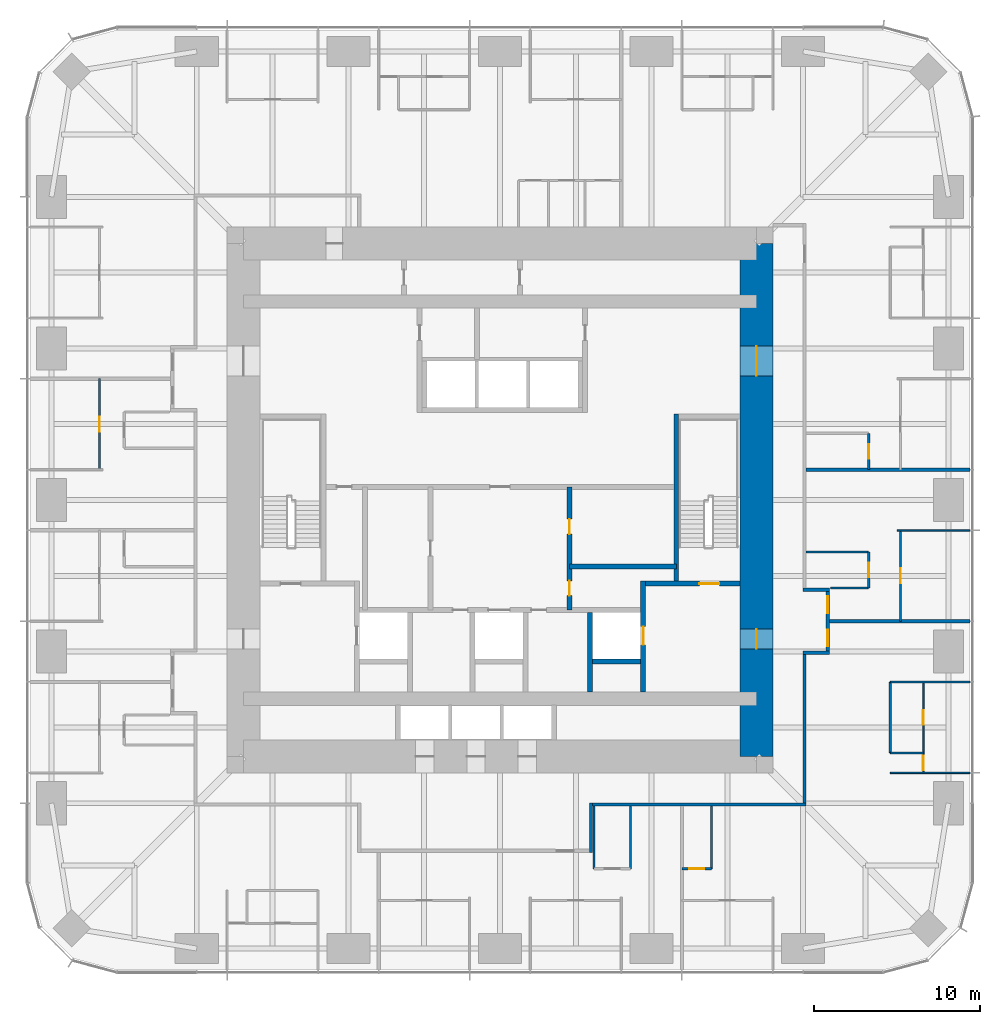
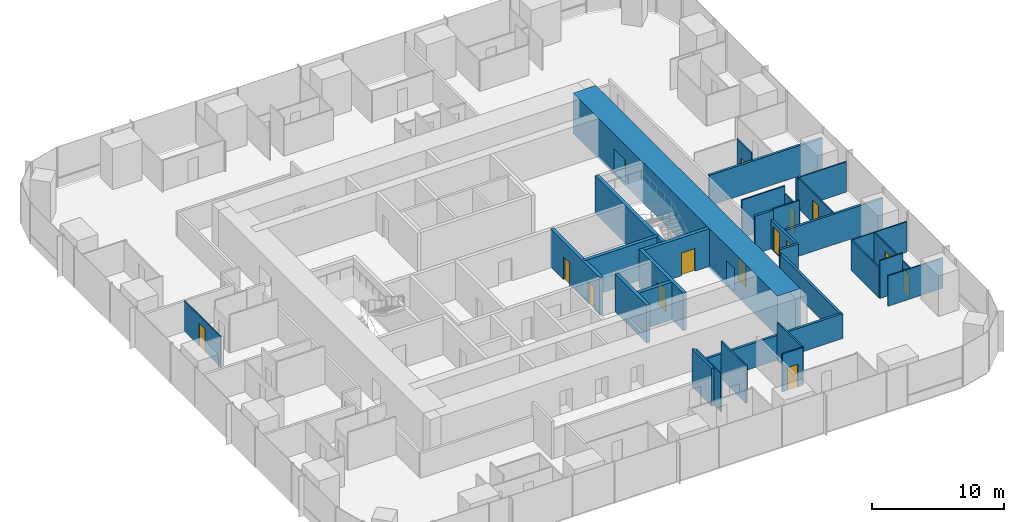
# One storey, part 10 of 13: 32 walls, 15 doors, 15 openings.
"""IFC4 building model written with IfcOpenShell, lengths in metres."""

import ifcopenshell
import ifcopenshell.guid

model = None  # the IFC model being written
_history = None  # IfcOwnerHistory: only IFC2X3 demands one
_inside = {}  # id of a spatial element -> (the spatial element, [elements in it])
_under = {}  # id of a project, library or spatial element -> (it, [spatial elements below it])
_declared = {}  # id of a project -> (the project, [libraries it declares])
_typed = {}  # id of a type object -> (the type object, [elements of that type])
_made_of = {}  # id of a material, layer set ... -> (it, [elements and type objects made of it])


def new_model(schema):
    """Start an empty IFC model of exactly this schema.

    Asked for "IFC4X3", IfcOpenShell would pick the latest addendum, in which some entities
    have other attributes; the version numbers below select the first issue.
    IFC2X3 requires an IfcOwnerHistory on every rooted entity: one is made here for all.
    """
    global model, _history
    if schema == "IFC4X3":
        model = ifcopenshell.file(schema_version=(4, 3, 0, 0))
    else:
        model = ifcopenshell.file(schema=schema)
    _inside.clear()
    _under.clear()
    _declared.clear()
    _typed.clear()
    _made_of.clear()
    _history = None
    if model.schema == "IFC2X3":
        org = make("IfcOrganization", Name="unknown")
        user = make(
            "IfcPersonAndOrganization",
            ThePerson=make("IfcPerson", FamilyName="unknown"),
            TheOrganization=org,
        )
        app = make(
            "IfcApplication",
            ApplicationDeveloper=org,
            Version="unknown",
            ApplicationFullName="unknown",
            ApplicationIdentifier="unknown",
        )
        _history = make(
            "IfcOwnerHistory",
            OwningUser=user,
            OwningApplication=app,
            ChangeAction="ADDED",
            CreationDate=0,
        )
    return model


def make(cls, **values):
    """One entity of the class cls with the attributes given. An attribute that is None is left unset."""
    return model.create_entity(
        cls, **{name: value for name, value in values.items() if value is not None}
    )


def rooted(cls, **values):
    """An entity with a GlobalId (a new one), such as an element, a storey or a relation."""
    return make(cls, GlobalId=ifcopenshell.guid.new(), OwnerHistory=_history, **values)


def si_unit(unit_type, name, prefix=None):
    """IfcSIUnit, for example si_unit("LENGTHUNIT", "METRE", prefix="MILLI")."""
    return make("IfcSIUnit", UnitType=unit_type, Prefix=prefix, Name=name)


def assignment(units):
    """IfcUnitAssignment: the units of a project."""
    return None if units is None else make("IfcUnitAssignment", Units=units)


def point(xyz):
    """IfcCartesianPoint."""
    return None if xyz is None else make("IfcCartesianPoint", Coordinates=xyz)


def direction(xyz):
    """IfcDirection."""
    return None if xyz is None else make("IfcDirection", DirectionRatios=xyz)


def frame(location, z_axis=None, x_axis=None):
    """IfcAxis2Placement3D, a coordinate frame: its origin and axes. An axis left out is left unset."""
    return make(
        "IfcAxis2Placement3D",
        Location=point(location),
        Axis=direction(z_axis),
        RefDirection=direction(x_axis),
    )


def frame_2d(location, x_axis=None):
    """IfcAxis2Placement2D, a coordinate frame in the plane: its origin and x axis."""
    return make(
        "IfcAxis2Placement2D", Location=point(location), RefDirection=direction(x_axis)
    )


def origin():
    """The frame at (0, 0, 0) with its axes left unset."""
    return frame((0.0, 0.0, 0.0))


def place(relative_to, where):
    """IfcLocalPlacement: puts the frame where relative to a parent placement (None: the world)."""
    return make(
        "IfcLocalPlacement", PlacementRelTo=relative_to, RelativePlacement=where
    )


def context(
    kind, dimensions, precision=None, world=None, true_north=None, identifier=None
):
    """IfcGeometricRepresentationContext, for example the 3D "Model" context."""
    return make(
        "IfcGeometricRepresentationContext",
        ContextIdentifier=identifier,
        ContextType=kind,
        CoordinateSpaceDimension=dimensions,
        Precision=precision,
        WorldCoordinateSystem=world,
        TrueNorth=true_north,
    )


def subcontext(parent, identifier, kind, view, scale=None):
    """IfcGeometricRepresentationSubContext, for example "Body" below "Model"."""
    return make(
        "IfcGeometricRepresentationSubContext",
        ContextIdentifier=identifier,
        ContextType=kind,
        ParentContext=parent,
        TargetScale=scale,
        TargetView=view,
    )


def project(units=None, contexts=None):
    """IfcProject with its units and contexts."""
    return rooted(
        "IfcProject",
        Name="project",
        RepresentationContexts=contexts,
        UnitsInContext=assignment(units),
    )


def spatial(cls, under=None, at=None, **own):
    """A site, building, storey or space (cls), placed at a placement, below another one or the project."""
    s = rooted(cls, ObjectPlacement=at, **own)
    if under is not None:
        _under.setdefault(under.id(), (under, []))[1].append(s)
    return s


def profile(cls, at=None, kind="AREA", **sizes):
    """A parametric profile (cls). Its sizes go by their IFC names, for example OverallWidth=200.0."""
    return make(cls, ProfileType=kind, Position=at, **sizes)


def rectangle(**sizes):
    """IfcRectangleProfileDef."""
    return profile("IfcRectangleProfileDef", **sizes)


def extrude(swept, where, along, depth):
    """IfcExtrudedAreaSolid: the profile swept, set in the frame where, extruded along a direction by depth."""
    return make(
        "IfcExtrudedAreaSolid",
        SweptArea=swept,
        Position=where,
        ExtrudedDirection=direction(along),
        Depth=depth,
    )


def shape(context_of_items, identifier, shape_type, items):
    """IfcShapeRepresentation: the items that make up one representation, for example the "Body"."""
    return make(
        "IfcShapeRepresentation",
        ContextOfItems=context_of_items,
        RepresentationIdentifier=identifier,
        RepresentationType=shape_type,
        Items=items,
    )


def material(Name=None, Category=None):
    """IfcMaterial."""
    return make("IfcMaterial", Name=Name, Category=Category)


def layer(
    of_material, thickness, ventilated=None, Name=None, Category=None, Priority=None
):
    """IfcMaterialLayer: one layer of a wall or slab, of a material (None: an air gap)."""
    return make(
        "IfcMaterialLayer",
        Material=of_material,
        LayerThickness=thickness,
        IsVentilated=ventilated,
        Name=Name,
        Category=Category,
        Priority=Priority,
    )


def layer_set(layers, Name=None):
    """IfcMaterialLayerSet."""
    return make("IfcMaterialLayerSet", MaterialLayers=layers, LayerSetName=Name)


def made_of(thing, what):
    """Note that an element or type object is made of a material, layer set ...; save() writes the relation."""
    if what is not None:
        _made_of.setdefault(what.id(), (what, []))[1].append(thing)
    return thing


def type_object(cls, material=None, **own):
    """A type object (cls), such as IfcWallType, which elements share."""
    return made_of(rooted(cls, **own), material)


def element(
    cls,
    number,
    at=None,
    inside=None,
    cuts=None,
    type_object=None,
    material=None,
    context=None,
    identifier="Body",
    shape_type=None,
    held_by="IfcProductDefinitionShape",
    body=None,
    shapes=None,
    **own,
):
    """One element of the class cls, such as IfcWall. Its Tag is "e" and its number.

    at: its placement. inside: the storey or other place that contains it. cuts: it is an
    opening in that element (IfcRelVoidsElement). A single representation is given by context,
    identifier, shape_type and body (its items); several are given by shapes. held_by: the class
    of the entity that holds the representations. save() writes the other relations.
    """
    e = rooted(cls, Tag="e%d" % number, ObjectPlacement=at, **own)
    if body is not None:
        shapes = [shape(context, identifier, shape_type, body)]
    if shapes is not None:
        e.Representation = make(held_by, Representations=shapes)
    if inside is not None:
        _inside.setdefault(inside.id(), (inside, []))[1].append(e)
    if cuts is not None:
        rooted(
            "IfcRelVoidsElement", RelatingBuildingElement=cuts, RelatedOpeningElement=e
        )
    if type_object is not None:
        _typed.setdefault(type_object.id(), (type_object, []))[1].append(e)
    return made_of(e, material)


def fill(opening, filler):
    """IfcRelFillsElement: the door or window that sits in an opening."""
    return rooted(
        "IfcRelFillsElement",
        RelatingOpeningElement=opening,
        RelatedBuildingElement=filler,
    )


def aggregate(whole, parts):
    """IfcRelAggregates: a whole, such as a stair, and the parts it consists of."""
    return rooted("IfcRelAggregates", RelatingObject=whole, RelatedObjects=parts)


def save(model, path):
    """Write the relations noted so far, then the file.

    IfcRelAggregates (storeys below a building ...), IfcRelContainedInSpatialStructure (elements
    in a storey), IfcRelDefinesByType, IfcRelAssociatesMaterial and IfcRelDeclares: one each for
    every whole, place, type object, material and project.
    """
    for whole, parts in _under.values():
        aggregate(whole, parts)
    for where, things in _inside.values():
        rooted(
            "IfcRelContainedInSpatialStructure",
            RelatedElements=things,
            RelatingStructure=where,
        )
    for kind, things in _typed.values():
        rooted("IfcRelDefinesByType", RelatedObjects=things, RelatingType=kind)
    for what, things in _made_of.values():
        rooted("IfcRelAssociatesMaterial", RelatedObjects=things, RelatingMaterial=what)
    for by, libraries in _declared.values():
        rooted("IfcRelDeclares", RelatingContext=by, RelatedDefinitions=libraries)
    model.write(path)


model = new_model("IFC4")

# Units and contexts
model_context = context("Model", 3, precision=1e-05, world=origin(), true_north=direction((0.0, 1.0)))
body_context = subcontext(model_context, "Body", "Model", "MODEL_VIEW")
ifc_project = project(units=[si_unit("LENGTHUNIT", "METRE"), si_unit("AREAUNIT", "SQUARE_METRE"), si_unit("VOLUMEUNIT", "CUBIC_METRE"), si_unit("PLANEANGLEUNIT", "RADIAN"), si_unit("MASSUNIT", "GRAM", prefix="KILO")], contexts=[model_context])

# Site, building, storey
site_placement = place(None, origin())
site = spatial("IfcSite", under=ifc_project, at=site_placement, CompositionType="ELEMENT")
building_placement = place(site_placement, origin())
building = spatial("IfcBuilding", under=site, at=building_placement, Name="Khuree Lantern Residences", CompositionType="ELEMENT")
storey_placement = place(building_placement, frame((0.0, 0.0, 159.75)))
storey = spatial("IfcBuildingStorey", under=building, at=storey_placement, Name="L40", CompositionType="ELEMENT", Elevation=159.75)

# Wall, opening, door
ifc_material_1 = material(Name="Moisture-resistant gypsum board on steel studs", Category="steel")
ifc_layer_1 = layer(ifc_material_1, 0.125)
ifc_layer_set_1 = layer_set([ifc_layer_1], Name="BATHROOM WALL BTW125")
wall_type_1 = type_object("IfcWallType", Name="BATHROOM WALL BTW125", PredefinedType="PARTITIONING", material=ifc_layer_set_1)
wall_1_placement = place(storey_placement, frame((22.27978515625, -5.327880859375, 0.0), z_axis=(0.0, 0.0, 1.0), x_axis=(0.0, 1.0, 0.0)))
wall_1 = element("IfcWall", 1, at=wall_1_placement, inside=storey, type_object=wall_type_1, Name="L40 BATHROOM WALL 01", PredefinedType="PARTITIONING", context=body_context, shape_type="SweptSolid", body=[
    extrude(rectangle(XDim=2.199951171875, YDim=0.125, at=frame_2d((1.10009765625, 0.0))), origin(), (0.0, 0.0, 1.0), 2.81005859375),
])
opening_1_placement = place(wall_1_placement, frame((0.64990234375, 0.0, 0.0)))
opening_1 = element("IfcOpeningElement", 2, at=opening_1_placement, cuts=wall_1, Name="Opening 40-026", PredefinedType="OPENING", context=body_context, shape_type="SweptSolid", body=[
    extrude(rectangle(XDim=0.89990234375, YDim=2.10009765625, at=frame_2d((0.449951171875, 1.050048828125))), frame((0.0, 0.072509765625, 0.0), z_axis=(0.0, -1.0, 0.0), x_axis=(1.0, 0.0, 0.0)), (0.0, 0.0, 1.0), 0.14501953125),
])
ifc_material_2 = material(Name="Timber door leaf in hardwood frame", Category="wood")
door_type_1 = type_object("IfcDoorType", Name="BATHROOM DOOR 900X2100", OperationType="SINGLE_SWING_LEFT", PredefinedType="DOOR", material=ifc_material_2)
door_1_placement = place(opening_1_placement, origin())
door_1 = element("IfcDoor", 3, at=door_1_placement, inside=storey, type_object=door_type_1, Name="Bathroom door 40-026", OperationType="SINGLE_SWING_LEFT", OverallHeight=2.10009765625, OverallWidth=0.89990234375, PredefinedType="DOOR", context=body_context, shape_type="SweptSolid", body=[
    extrude(rectangle(XDim=0.89990234375, YDim=2.10009765625, at=frame_2d((0.449951171875, 1.050048828125))), frame((0.0, 0.02490234375, 0.0), z_axis=(0.0, -1.0, 0.0), x_axis=(1.0, 0.0, 0.0)), (0.0, 0.0, 1.0), 0.050048828125),
])
fill(opening_1, door_1)

# Walls
wall_2_placement = place(storey_placement, frame((19.969970703125, -5.327880859375, 0.0), z_axis=(0.0, 0.0, 1.0), x_axis=(1.0, 0.0, 0.0)))
element("IfcWall", 4, at=wall_2_placement, inside=storey, type_object=wall_type_1, Name="L40 BATHROOM WALL 01", PredefinedType="PARTITIONING", context=body_context, shape_type="SweptSolid", body=[
    extrude(rectangle(XDim=2.309814453125, YDim=0.125, at=frame_2d((1.15478515625, 0.0))), origin(), (0.0, 0.0, 1.0), 3.5),
])
wall_3_placement = place(storey_placement, frame((18.5, -3.1279296875, 0.0), z_axis=(0.0, 0.0, 1.0), x_axis=(1.0, 0.0, 0.0)))
element("IfcWall", 5, at=wall_3_placement, inside=storey, type_object=wall_type_1, Name="L40 BATHROOM WALL 01", PredefinedType="PARTITIONING", context=body_context, shape_type="SweptSolid", body=[
    extrude(rectangle(XDim=3.77978515625, YDim=0.125, at=frame_2d((1.889892578125, 0.0))), origin(), (0.0, 0.0, 1.0), 3.5),
])

# Wall, opening, door
wall_4_placement = place(storey_placement, frame((22.27978515625, 1.83203125, 0.0), z_axis=(0.0, 0.0, 1.0), x_axis=(0.0, 1.0, 0.0)))
wall_4 = element("IfcWall", 6, at=wall_4_placement, inside=storey, type_object=wall_type_1, Name="L40 BATHROOM WALL 02", PredefinedType="PARTITIONING", context=body_context, shape_type="SweptSolid", body=[
    extrude(rectangle(XDim=2.199951171875, YDim=0.125, at=frame_2d((1.10009765625, 0.0))), origin(), (0.0, 0.0, 1.0), 3.5),
])
opening_2_placement = place(wall_4_placement, frame((0.64990234375, 0.0, 0.0)))
opening_2 = element("IfcOpeningElement", 7, at=opening_2_placement, cuts=wall_4, Name="Opening 40-033", PredefinedType="OPENING", context=body_context, shape_type="SweptSolid", body=[
    extrude(rectangle(XDim=0.89990234375, YDim=2.10009765625, at=frame_2d((0.449951171875, 1.050048828125))), frame((0.0, 0.072509765625, 0.0), z_axis=(0.0, -1.0, 0.0), x_axis=(1.0, 0.0, 0.0)), (0.0, 0.0, 1.0), 0.14501953125),
])
door_2_placement = place(opening_2_placement, origin())
door_2 = element("IfcDoor", 8, at=door_2_placement, inside=storey, type_object=door_type_1, Name="Bathroom door 40-033", OperationType="SINGLE_SWING_LEFT", OverallHeight=2.10009765625, OverallWidth=0.89990234375, PredefinedType="DOOR", context=body_context, shape_type="SweptSolid", body=[
    extrude(rectangle(XDim=0.89990234375, YDim=2.10009765625, at=frame_2d((0.449951171875, 1.050048828125))), frame((0.0, 0.02490234375, 0.0), z_axis=(0.0, -1.0, 0.0), x_axis=(1.0, 0.0, 0.0)), (0.0, 0.0, 1.0), 0.050048828125),
])
fill(opening_2, door_2)

# Walls
for number, where, z_axis, x_axis, name in (
    (9, (5.68359375, -18.5, 0.0), (0.0, 0.0, 1.0), (0.0, -1.0, 0.0), "L40 BATHROOM WALL 07"),
    (10, (7.883544921875, -18.5, 0.0), (0.0, 0.0, 1.0), (0.0, -1.0, 0.0), "L40 BATHROOM WALL 07"),
):
    element("IfcWall", number, at=place(storey_placement, frame(where, z_axis=z_axis, x_axis=x_axis)), inside=storey, type_object=wall_type_1, Name=name, PredefinedType="PARTITIONING", context=body_context, shape_type="SweptSolid", body=[
        extrude(rectangle(XDim=3.77978515625, YDim=0.125, at=frame_2d((1.889892578125, 0.0))), origin(), (0.0, 0.0, 1.0), 3.5),
    ])
wall_5_placement = place(storey_placement, frame((23.579833984375, -15.2880859375, 0.0), z_axis=(0.0, 0.0, 1.0), x_axis=(0.0, 1.0, 0.0)))
element("IfcWall", 11, at=wall_5_placement, inside=storey, type_object=wall_type_1, Name="L40 BATHROOM WALL 08", PredefinedType="PARTITIONING", context=body_context, shape_type="SweptSolid", body=[
    extrude(rectangle(XDim=4.296142578125, YDim=0.125, at=frame_2d((2.14794921875, 0.0))), origin(), (0.0, 0.0, 1.0), 2.81005859375),
])

# Wall, opening, door
wall_6_placement = place(storey_placement, frame((10.991943359375, -22.27978515625, 0.0), z_axis=(0.0, 0.0, 1.0), x_axis=(1.0, 0.0, 0.0)))
wall_6 = element("IfcWall", 12, at=wall_6_placement, inside=storey, type_object=wall_type_1, Name="L40 BATHROOM WALL 08", PredefinedType="PARTITIONING", context=body_context, shape_type="SweptSolid", body=[
    extrude(rectangle(XDim=1.800048828125, YDim=0.125, at=frame_2d((0.89990234375, 0.0))), origin(), (0.0, 0.0, 1.0), 3.5),
])
opening_3_placement = place(wall_6_placement, frame((0.449951171875, 0.0, 0.0)))
opening_3 = element("IfcOpeningElement", 13, at=opening_3_placement, cuts=wall_6, Name="Opening 40-062", PredefinedType="OPENING", context=body_context, shape_type="SweptSolid", body=[
    extrude(rectangle(XDim=0.89990234375, YDim=2.10009765625, at=frame_2d((0.449951171875, 1.050048828125))), frame((0.0, 0.072509765625, 0.0), z_axis=(0.0, -1.0, 0.0), x_axis=(1.0, 0.0, 0.0)), (0.0, 0.0, 1.0), 0.14501953125),
])
door_3_placement = place(opening_3_placement, origin())
door_3 = element("IfcDoor", 14, at=door_3_placement, inside=storey, type_object=door_type_1, Name="Bathroom door 40-062", OperationType="SINGLE_SWING_LEFT", OverallHeight=2.10009765625, OverallWidth=0.89990234375, PredefinedType="DOOR", context=body_context, shape_type="SweptSolid", body=[
    extrude(rectangle(XDim=0.89990234375, YDim=2.10009765625, at=frame_2d((0.449951171875, 1.050048828125))), frame((0.0, 0.02490234375, 0.0), z_axis=(0.0, -1.0, 0.0), x_axis=(1.0, 0.0, 0.0)), (0.0, 0.0, 1.0), 0.050048828125),
])
fill(opening_3, door_3)

# Wall
wall_7_placement = place(storey_placement, frame((12.7919921875, -18.5, 0.0), z_axis=(0.0, 0.0, 1.0), x_axis=(0.0, -1.0, 0.0)))
element("IfcWall", 15, at=wall_7_placement, inside=storey, type_object=wall_type_1, Name="L40 BATHROOM WALL 08", PredefinedType="PARTITIONING", context=body_context, shape_type="SweptSolid", body=[
    extrude(rectangle(XDim=3.77978515625, YDim=0.125, at=frame_2d((1.889892578125, 0.0))), origin(), (0.0, 0.0, 1.0), 3.5),
])

# Wall, opening, door
ifc_material_3 = material(Name="Dense concrete blockwork", Category="masonry")
ifc_layer_2 = layer(ifc_material_3, 0.300048828125)
ifc_layer_set_2 = layer_set([ifc_layer_2], Name="CORE PARTITION WALL CPW300 EI 120")
wall_type_2 = type_object("IfcWallType", Name="CORE PARTITION WALL CPW300 EI 120", PredefinedType="PARTITIONING", material=ifc_layer_set_2)
wall_8_placement = place(storey_placement, frame((8.64990234375, -11.60009765625, 0.0), z_axis=(0.0, 0.0, 1.0), x_axis=(0.0, 1.0, 0.0)))
wall_8 = element("IfcWall", 16, at=wall_8_placement, inside=storey, type_object=wall_type_2, Name="L40 CORE WALL FL2E", PredefinedType="PARTITIONING", context=body_context, shape_type="SweptSolid", body=[
    extrude(rectangle(XDim=6.7001953125, YDim=0.300048828125, at=frame_2d((3.35009765625, 0.0))), origin(), (0.0, 0.0, 1.0), 3.5),
])
opening_4_placement = place(wall_8_placement, frame((2.85009765625, 0.0, 0.0)))
opening_4 = element("IfcOpeningElement", 17, at=opening_4_placement, cuts=wall_8, Name="Opening 40-008", PredefinedType="OPENING", context=body_context, shape_type="SweptSolid", body=[
    extrude(rectangle(XDim=1.10009765625, YDim=2.10009765625, at=frame_2d((0.550048828125, 1.050048828125))), frame((0.0, 0.16015625, 0.0), z_axis=(0.0, -1.0, 0.0), x_axis=(1.0, 0.0, 0.0)), (0.0, 0.0, 1.0), 0.320068359375),
])
ifc_material_4 = material(Name="Stainless steel lift landing door", Category="steel")
door_type_2 = type_object("IfcDoorType", Name="LIFT LANDING DOOR 1100X2100 E 120", OperationType="DOUBLE_DOOR_SLIDING", PredefinedType="DOOR", material=ifc_material_4)
door_4_placement = place(opening_4_placement, origin())
door_4 = element("IfcDoor", 18, at=door_4_placement, inside=storey, type_object=door_type_2, Name="Landing door FL2 40-008", OperationType="DOUBLE_DOOR_SLIDING", OverallHeight=2.10009765625, OverallWidth=1.10009765625, PredefinedType="DOOR", context=body_context, shape_type="SweptSolid", body=[
    extrude(rectangle(XDim=1.10009765625, YDim=2.10009765625, at=frame_2d((0.550048828125, 1.050048828125))), frame((0.0, 0.02490234375, 0.0), z_axis=(0.0, -1.0, 0.0), x_axis=(1.0, 0.0, 0.0)), (0.0, 0.0, 1.0), 0.050048828125),
])
fill(opening_4, door_4)

# Walls
wall_9_placement = place(storey_placement, frame((5.449951171875, -11.60009765625, 0.0), z_axis=(0.0, 0.0, 1.0), x_axis=(0.0, 1.0, 0.0)))
element("IfcWall", 19, at=wall_9_placement, inside=storey, type_object=wall_type_2, Name="L40 CORE WALL FL2W", PredefinedType="PARTITIONING", context=body_context, shape_type="SweptSolid", body=[
    extrude(rectangle(XDim=4.800048828125, YDim=0.300048828125, at=frame_2d((2.39990234375, 0.0))), origin(), (0.0, 0.0, 1.0), 3.5),
])
wall_10_placement = place(storey_placement, frame((5.60009765625, -9.75, 0.0), z_axis=(0.0, 0.0, 1.0), x_axis=(1.0, 0.0, 0.0)))
element("IfcWall", 20, at=wall_10_placement, inside=storey, type_object=wall_type_2, Name="L40 CORE WALL FL2S", PredefinedType="PARTITIONING", context=body_context, shape_type="SweptSolid", body=[
    extrude(rectangle(XDim=2.89990234375, YDim=0.300048828125, at=frame_2d((1.449951171875, 0.0))), origin(), (0.0, 0.0, 1.0), 3.5),
])

# Wall, openings, doors
wall_11_placement = place(storey_placement, frame((4.199951171875, -6.64990234375, 0.0), z_axis=(0.0, 0.0, 1.0), x_axis=(0.0, 1.0, 0.0)))
wall_11 = element("IfcWall", 21, at=wall_11_placement, inside=storey, type_object=wall_type_2, Name="L40 CORE WALL SVE", PredefinedType="PARTITIONING", context=body_context, shape_type="SweptSolid", body=[
    extrude(rectangle(XDim=7.449951171875, YDim=0.300048828125, at=frame_2d((3.72509765625, 0.0))), origin(), (0.0, 0.0, 1.0), 3.5),
])
opening_5_placement = place(wall_11_placement, frame((0.865966796875, 0.0, 0.0)))
opening_5 = element("IfcOpeningElement", 22, at=opening_5_placement, cuts=wall_11, Name="Opening 40-018", PredefinedType="OPENING", context=body_context, shape_type="SweptSolid", body=[
    extrude(rectangle(XDim=0.89990234375, YDim=2.10009765625, at=frame_2d((0.449951171875, 1.050048828125))), frame((0.0, 0.16015625, 0.0), z_axis=(0.0, -1.0, 0.0), x_axis=(1.0, 0.0, 0.0)), (0.0, 0.0, 1.0), 0.320068359375),
])
opening_6_placement = place(wall_11_placement, frame((4.591064453125, 0.0, 0.0)))
opening_6 = element("IfcOpeningElement", 23, at=opening_6_placement, cuts=wall_11, Name="Opening 40-019", PredefinedType="OPENING", context=body_context, shape_type="SweptSolid", body=[
    extrude(rectangle(XDim=0.89990234375, YDim=2.10009765625, at=frame_2d((0.449951171875, 1.050048828125))), frame((0.0, 0.16015625, 0.0), z_axis=(0.0, -1.0, 0.0), x_axis=(1.0, 0.0, 0.0)), (0.0, 0.0, 1.0), 0.320068359375),
])
door_type_3 = type_object("IfcDoorType", Name="DOOR 900X2100", OperationType="SINGLE_SWING_LEFT", PredefinedType="DOOR", material=ifc_material_2)
door_5_placement = place(opening_5_placement, origin())
door_5 = element("IfcDoor", 24, at=door_5_placement, inside=storey, type_object=door_type_3, Name="IT room door 40-018", OperationType="SINGLE_SWING_LEFT", OverallHeight=2.10009765625, OverallWidth=0.89990234375, PredefinedType="DOOR", context=body_context, shape_type="SweptSolid", body=[
    extrude(rectangle(XDim=0.89990234375, YDim=2.10009765625, at=frame_2d((0.449951171875, 1.050048828125))), frame((0.0, 0.02490234375, 0.0), z_axis=(0.0, -1.0, 0.0), x_axis=(1.0, 0.0, 0.0)), (0.0, 0.0, 1.0), 0.050048828125),
])
fill(opening_5, door_5)
door_type_4 = type_object("IfcDoorType", Name="DOOR 900X2100 RIGHT HAND", OperationType="SINGLE_SWING_RIGHT", PredefinedType="DOOR", material=ifc_material_2)
door_6_placement = place(opening_6_placement, origin())
door_6 = element("IfcDoor", 25, at=door_6_placement, inside=storey, type_object=door_type_4, Name="Residents' store door 40-019", OperationType="SINGLE_SWING_RIGHT", OverallHeight=2.10009765625, OverallWidth=0.89990234375, PredefinedType="DOOR", context=body_context, shape_type="SweptSolid", body=[
    extrude(rectangle(XDim=0.89990234375, YDim=2.10009765625, at=frame_2d((0.449951171875, 1.050048828125))), frame((0.0, 0.02490234375, 0.0), z_axis=(0.0, -1.0, 0.0), x_axis=(1.0, 0.0, 0.0)), (0.0, 0.0, 1.0), 0.050048828125),
])
fill(opening_6, door_6)

# Walls
wall_12_placement = place(storey_placement, frame((10.64990234375, -4.01806640625, 0.0), z_axis=(0.0, 0.0, 1.0), x_axis=(-1.0, 0.0, 0.0)))
element("IfcWall", 26, at=wall_12_placement, inside=storey, type_object=wall_type_2, Name="L40 CORE WALL EX", PredefinedType="PARTITIONING", context=body_context, shape_type="SweptSolid", body=[
    extrude(rectangle(XDim=6.449951171875, YDim=0.300048828125, at=frame_2d((3.22509765625, 0.0))), origin(), (0.0, 0.0, 1.0), 3.5),
])
ifc_material_5 = material(Name="Gypsum board on steel studs", Category="steel")
ifc_layer_3 = layer(ifc_material_5, 0.199951171875)
ifc_layer_set_3 = layer_set([ifc_layer_3], Name="CORRIDOR WALL CRW200 EI 60")
wall_type_3 = type_object("IfcWallType", Name="CORRIDOR WALL CRW200 EI 60", PredefinedType="PARTITIONING", material=ifc_layer_set_3)
wall_13_placement = place(storey_placement, frame((18.39990234375, -18.300048828125, 0.0), z_axis=(0.0, 0.0, 1.0), x_axis=(0.0, 1.0, 0.0)))
element("IfcWall", 27, at=wall_13_placement, inside=storey, type_object=wall_type_3, Name="L40 CORRIDOR WALL EAST 1", PredefinedType="PARTITIONING", context=body_context, shape_type="SweptSolid", body=[
    extrude(rectangle(XDim=8.97216796875, YDim=0.199951171875, at=frame_2d((4.486083984375, 0.0))), origin(), (0.0, 0.0, 1.0), 2.300048828125),
])
wall_14_placement = place(storey_placement, frame((18.300048828125, -9.22802734375, 0.0), z_axis=(0.0, 0.0, 1.0), x_axis=(1.0, 0.0, 0.0)))
element("IfcWall", 28, at=wall_14_placement, inside=storey, type_object=wall_type_3, Name="L40 CORRIDOR ALCOVE WALL EAST", PredefinedType="PARTITIONING", context=body_context, shape_type="SweptSolid", body=[
    extrude(rectangle(XDim=1.599853515625, YDim=0.199951171875, at=frame_2d((0.7998046875, 0.0))), origin(), (0.0, 0.0, 1.0), 2.699951171875),
])
wall_15_placement = place(storey_placement, frame((18.300048828125, -5.427978515625, 0.0), z_axis=(0.0, 0.0, 1.0), x_axis=(1.0, 0.0, 0.0)))
element("IfcWall", 29, at=wall_15_placement, inside=storey, type_object=wall_type_3, Name="L40 CORRIDOR ALCOVE WALL EAST", PredefinedType="PARTITIONING", context=body_context, shape_type="SweptSolid", body=[
    extrude(rectangle(XDim=1.599853515625, YDim=0.199951171875, at=frame_2d((0.7998046875, 0.0))), origin(), (0.0, 0.0, 1.0), 3.5),
])

# Wall, openings, doors
wall_16_placement = place(storey_placement, frame((19.800048828125, -9.1279296875, 0.0), z_axis=(0.0, 0.0, 1.0), x_axis=(0.0, 1.0, 0.0)))
wall_16 = element("IfcWall", 30, at=wall_16_placement, inside=storey, type_object=wall_type_3, Name="L40 CORRIDOR ALCOVE WALL EAST", PredefinedType="PARTITIONING", context=body_context, shape_type="SweptSolid", body=[
    extrude(rectangle(XDim=3.599853515625, YDim=0.199951171875, at=frame_2d((1.7998046875, 0.0))), origin(), (0.0, 0.0, 1.0), 2.699951171875),
])
opening_7_placement = place(wall_16_placement, frame((2.300048828125, 0.0, 0.0)))
opening_7 = element("IfcOpeningElement", 31, at=opening_7_placement, cuts=wall_16, Name="Opening 40-027", PredefinedType="OPENING", context=body_context, shape_type="SweptSolid", body=[
    extrude(rectangle(XDim=1.0, YDim=2.199951171875, at=frame_2d((0.5, 1.10009765625))), frame((0.0, 0.10986328125, 0.0), z_axis=(0.0, -1.0, 0.0), x_axis=(1.0, 0.0, 0.0)), (0.0, 0.0, 1.0), 0.219970703125),
])
opening_8_placement = place(wall_16_placement, frame((0.300048828125, 0.0, 0.0)))
opening_8 = element("IfcOpeningElement", 32, at=opening_8_placement, cuts=wall_16, Name="Opening 40-063", PredefinedType="OPENING", context=body_context, shape_type="SweptSolid", body=[
    extrude(rectangle(XDim=1.0, YDim=2.199951171875, at=frame_2d((0.5, 1.10009765625))), frame((0.0, 0.10986328125, 0.0), z_axis=(0.0, -1.0, 0.0), x_axis=(1.0, 0.0, 0.0)), (0.0, 0.0, 1.0), 0.219970703125),
])
door_type_5 = type_object("IfcDoorType", Name="APARTMENT ENTRANCE DOOR 1000X2200 EI 30S", OperationType="SINGLE_SWING_LEFT", PredefinedType="DOOR", material=ifc_material_2)
door_7_placement = place(opening_8_placement, origin())
door_7 = element("IfcDoor", 33, at=door_7_placement, inside=storey, type_object=door_type_5, Name="Apartment 08 entrance door 40-063", OperationType="SINGLE_SWING_LEFT", OverallHeight=2.199951171875, OverallWidth=1.0, PredefinedType="DOOR", context=body_context, shape_type="SweptSolid", body=[
    extrude(rectangle(XDim=1.0, YDim=2.199951171875, at=frame_2d((0.5, 1.10009765625))), frame((0.0, 0.02490234375, 0.0), z_axis=(0.0, -1.0, 0.0), x_axis=(1.0, 0.0, 0.0)), (0.0, 0.0, 1.0), 0.050048828125),
])
fill(opening_8, door_7)
door_type_6 = type_object("IfcDoorType", Name="APARTMENT ENTRANCE DOOR 1000X2200 EI 30S RIGHT HAND", OperationType="SINGLE_SWING_RIGHT", PredefinedType="DOOR", material=ifc_material_2)
door_8_placement = place(opening_7_placement, origin())
door_8 = element("IfcDoor", 34, at=door_8_placement, inside=storey, type_object=door_type_6, Name="Apartment 01 entrance door 40-027", OperationType="SINGLE_SWING_RIGHT", OverallHeight=2.199951171875, OverallWidth=1.0, PredefinedType="DOOR", context=body_context, shape_type="SweptSolid", body=[
    extrude(rectangle(XDim=1.0, YDim=2.199951171875, at=frame_2d((0.5, 1.10009765625))), frame((0.0, 0.02490234375, 0.0), z_axis=(0.0, -1.0, 0.0), x_axis=(1.0, 0.0, 0.0)), (0.0, 0.0, 1.0), 0.050048828125),
])
fill(opening_7, door_8)

# Walls
wall_17_placement = place(storey_placement, frame((18.5, -18.39990234375, 0.0), z_axis=(0.0, 0.0, 1.0), x_axis=(-1.0, 0.0, 0.0)))
element("IfcWall", 35, at=wall_17_placement, inside=storey, type_object=wall_type_3, Name="L40 CORRIDOR WALL SOUTH 1", PredefinedType="PARTITIONING", context=body_context, shape_type="SweptSolid", body=[
    extrude(rectangle(XDim=12.89990234375, YDim=0.199951171875, at=frame_2d((6.449951171875, 0.0))), origin(), (0.0, 0.0, 1.0), 2.300048828125),
])
wall_18_placement = place(storey_placement, frame((5.5, -18.300048828125, 0.0), z_axis=(0.0, 0.0, 1.0), x_axis=(0.0, -1.0, 0.0)))
element("IfcWall", 36, at=wall_18_placement, inside=storey, type_object=wall_type_3, Name="L40 LIFT LOBBY WALL", PredefinedType="PARTITIONING", context=body_context, shape_type="SweptSolid", body=[
    extrude(rectangle(XDim=3.0, YDim=0.199951171875, at=frame_2d((1.5, 0.0))), origin(), (0.0, 0.0, 1.0), 3.5),
])

# Wall, openings, doors
ifc_material_6 = material(Name="Concrete C70/85", Category="concrete")
ifc_layer_4 = layer(ifc_material_6, 2.0)
ifc_layer_set_4 = layer_set([ifc_layer_4], Name="CW2000-C70 CORE WALL C70 2000")
wall_type_4 = type_object("IfcWallType", Name="CW2000-C70 CORE WALL C70 2000", PredefinedType="SHEAR", material=ifc_layer_set_4)
wall_19_placement = place(storey_placement, frame((15.5, -15.5, -0.25), z_axis=(0.0, 0.0, 1.0), x_axis=(0.0, 1.0, 0.0)))
wall_19 = element("IfcWall", 37, at=wall_19_placement, inside=storey, type_object=wall_type_4, Name="Core wall E", PredefinedType="SHEAR", context=body_context, shape_type="SweptSolid", body=[
    extrude(rectangle(XDim=31.0, YDim=2.0, at=frame_2d((15.5, 0.0))), origin(), (0.0, 0.0, 1.0), 3.75),
])
opening_9_placement = place(wall_19_placement, frame((6.5, 0.0, 0.25)))
opening_9 = element("IfcOpeningElement", 38, at=opening_9_placement, cuts=wall_19, Name="Opening 40-005", PredefinedType="OPENING", context=body_context, shape_type="SweptSolid", body=[
    extrude(rectangle(XDim=1.199951171875, YDim=2.10009765625, at=frame_2d((0.60009765625, 1.050048828125))), frame((0.0, 1.010009765625, 0.0), z_axis=(0.0, -1.0, 0.0), x_axis=(1.0, 0.0, 0.0)), (0.0, 0.0, 1.0), 2.02001953125),
])
opening_10_placement = place(wall_19_placement, frame((23.0, 0.0, 0.25)))
opening_10 = element("IfcOpeningElement", 39, at=opening_10_placement, cuts=wall_19, Name="Opening 40-006", PredefinedType="OPENING", context=body_context, shape_type="SweptSolid", body=[
    extrude(rectangle(XDim=1.800048828125, YDim=2.10009765625, at=frame_2d((0.89990234375, 1.050048828125))), frame((0.0, 1.010009765625, 0.0), z_axis=(0.0, -1.0, 0.0), x_axis=(1.0, 0.0, 0.0)), (0.0, 0.0, 1.0), 2.02001953125),
])
ifc_material_7 = material(Name="Steel door leaf in steel frame", Category="steel")
door_type_7 = type_object("IfcDoorType", Name="LOBBY DOOR 1200X2100 EI 120", OperationType="SINGLE_SWING_LEFT", PredefinedType="DOOR", material=ifc_material_7)
door_9_placement = place(opening_9_placement, origin())
door_9 = element("IfcDoor", 40, at=door_9_placement, inside=storey, type_object=door_type_7, Name="Firefighting lobby door 40-005", OperationType="SINGLE_SWING_LEFT", OverallHeight=2.10009765625, OverallWidth=1.199951171875, PredefinedType="DOOR", context=body_context, shape_type="SweptSolid", body=[
    extrude(rectangle(XDim=1.199951171875, YDim=2.10009765625, at=frame_2d((0.60009765625, 1.050048828125))), frame((0.0, 0.02490234375, 0.0), z_axis=(0.0, -1.0, 0.0), x_axis=(1.0, 0.0, 0.0)), (0.0, 0.0, 1.0), 0.050048828125),
])
fill(opening_9, door_9)
door_type_8 = type_object("IfcDoorType", Name="LOBBY DOUBLE DOOR 1800X2100 EI 60", OperationType="DOUBLE_DOOR_SINGLE_SWING", PredefinedType="DOOR", material=ifc_material_7)
door_10_placement = place(opening_10_placement, origin())
door_10 = element("IfcDoor", 41, at=door_10_placement, inside=storey, type_object=door_type_8, Name="Lift lobby door 40-006", OperationType="DOUBLE_DOOR_SINGLE_SWING", OverallHeight=2.10009765625, OverallWidth=1.800048828125, PredefinedType="DOOR", context=body_context, shape_type="SweptSolid", body=[
    extrude(rectangle(XDim=1.800048828125, YDim=2.10009765625, at=frame_2d((0.89990234375, 1.050048828125))), frame((0.0, 0.02490234375, 0.0), z_axis=(0.0, -1.0, 0.0), x_axis=(1.0, 0.0, 0.0)), (0.0, 0.0, 1.0), 0.050048828125),
])
fill(opening_10, door_10)

# Walls
ifc_layer_5 = layer(ifc_material_5, 0.199951171875)
ifc_layer_set_5 = layer_set([ifc_layer_5], Name="DEMISING WALL DMW200 EI 90")
wall_type_5 = type_object("IfcWallType", Name="DEMISING WALL DMW200 EI 90", PredefinedType="PARTITIONING", material=ifc_layer_set_5)
wall_20_placement = place(storey_placement, frame((19.89990234375, -7.327880859375, 0.0), z_axis=(0.0, 0.0, 1.0), x_axis=(1.0, 0.0, 0.0)))
element("IfcWall", 42, at=wall_20_placement, inside=storey, type_object=wall_type_5, Name="L40 DEMISING WALL 01", PredefinedType="PARTITIONING", context=body_context, shape_type="SweptSolid", body=[
    extrude(rectangle(XDim=8.5, YDim=0.199951171875, at=frame_2d((4.25, 0.0))), origin(), (0.0, 0.0, 1.0), 2.81005859375),
])
wall_21_placement = place(storey_placement, frame((18.5, 1.83203125, 0.0), z_axis=(0.0, 0.0, 1.0), x_axis=(1.0, 0.0, 0.0)))
element("IfcWall", 43, at=wall_21_placement, inside=storey, type_object=wall_type_5, Name="L40 DEMISING WALL 02", PredefinedType="PARTITIONING", context=body_context, shape_type="SweptSolid", body=[
    extrude(rectangle(XDim=9.89990234375, YDim=0.199951171875, at=frame_2d((4.949951171875, 0.0))), origin(), (0.0, 0.0, 1.0), 2.81005859375),
])
ifc_layer_6 = layer(ifc_material_5, 0.10009765625)
ifc_layer_set_6 = layer_set([ifc_layer_6], Name="PARTITION PT100")
wall_type_6 = type_object("IfcWallType", Name="PARTITION PT100", PredefinedType="PARTITIONING", material=ifc_layer_set_6)
wall_22_placement = place(storey_placement, frame((24.0, -1.83203125, 0.0), z_axis=(0.0, 0.0, 1.0), x_axis=(1.0, 0.0, 0.0)))
element("IfcWall", 44, at=wall_22_placement, inside=storey, type_object=wall_type_6, Name="L40 PARTITION 01", PredefinedType="PARTITIONING", context=body_context, shape_type="SweptSolid", body=[
    extrude(rectangle(XDim=4.39990234375, YDim=0.10009765625, at=frame_2d((2.199951171875, 0.0))), origin(), (0.0, 0.0, 1.0), 2.81005859375),
])
for number, where, z_axis, x_axis, name in (
    (45, (23.579833984375, -16.488037109375, 0.0), (0.0, 0.0, 1.0), (1.0, 0.0, 0.0), "L40 PARTITION 08"),
    (46, (23.579833984375, -10.991943359375, 0.0), (0.0, 0.0, 1.0), (1.0, 0.0, 0.0), "L40 PARTITION 08"),
):
    element("IfcWall", number, at=place(storey_placement, frame(where, z_axis=z_axis, x_axis=x_axis)), inside=storey, type_object=wall_type_6, Name=name, PredefinedType="PARTITIONING", context=body_context, shape_type="SweptSolid", body=[
        extrude(rectangle(XDim=4.820068359375, YDim=0.10009765625, at=frame_2d((2.41015625, 0.0))), origin(), (0.0, 0.0, 1.0), 2.81005859375),
    ])

# Wall, opening, door
wall_23_placement = place(storey_placement, frame((24.199951171875, -7.327880859375, 0.0), z_axis=(0.0, 0.0, 1.0), x_axis=(0.0, 1.0, 0.0)))
wall_23 = element("IfcWall", 47, at=wall_23_placement, inside=storey, type_object=wall_type_6, Name="L40 PARTITION 01", PredefinedType="PARTITIONING", context=body_context, shape_type="SweptSolid", body=[
    extrude(rectangle(XDim=5.495849609375, YDim=0.10009765625, at=frame_2d((2.748046875, 0.0))), origin(), (0.0, 0.0, 1.0), 2.81005859375),
])
opening_11_placement = place(wall_23_placement, frame((2.298095703125, 0.0, 0.0)))
opening_11 = element("IfcOpeningElement", 48, at=opening_11_placement, cuts=wall_23, Name="Opening 40-025", PredefinedType="OPENING", context=body_context, shape_type="SweptSolid", body=[
    extrude(rectangle(XDim=0.89990234375, YDim=2.10009765625, at=frame_2d((0.449951171875, 1.050048828125))), frame((0.0, 0.06005859375, 0.0), z_axis=(0.0, -1.0, 0.0), x_axis=(1.0, 0.0, 0.0)), (0.0, 0.0, 1.0), 0.1201171875),
])
door_type_9 = type_object("IfcDoorType", Name="BEDROOM DOOR 900X2100", OperationType="SINGLE_SWING_LEFT", PredefinedType="DOOR", material=ifc_material_2)
door_11_placement = place(opening_11_placement, origin())
door_11 = element("IfcDoor", 49, at=door_11_placement, inside=storey, type_object=door_type_9, Name="Bedroom door 40-025", OperationType="SINGLE_SWING_LEFT", OverallHeight=2.10009765625, OverallWidth=0.89990234375, PredefinedType="DOOR", context=body_context, shape_type="SweptSolid", body=[
    extrude(rectangle(XDim=0.89990234375, YDim=2.10009765625, at=frame_2d((0.449951171875, 1.050048828125))), frame((0.0, 0.02490234375, 0.0), z_axis=(0.0, -1.0, 0.0), x_axis=(1.0, 0.0, 0.0)), (0.0, 0.0, 1.0), 0.050048828125),
])
fill(opening_11, door_11)

wall_24_placement = place(storey_placement, frame((-24.199951171875, 7.327880859375, 0.0), z_axis=(0.0, 0.0, 1.0), x_axis=(0.0, -1.0, 0.0)))
wall_24 = element("IfcWall", 50, at=wall_24_placement, inside=storey, type_object=wall_type_6, Name="L40 PARTITION 04", PredefinedType="PARTITIONING", context=body_context, shape_type="SweptSolid", body=[
    extrude(rectangle(XDim=5.495849609375, YDim=0.10009765625, at=frame_2d((2.748046875, 0.0))), origin(), (0.0, 0.0, 1.0), 2.81005859375),
])
opening_12_placement = place(wall_24_placement, frame((2.298095703125, 0.0, 0.0)))
opening_12 = element("IfcOpeningElement", 51, at=opening_12_placement, cuts=wall_24, Name="Opening 40-044", PredefinedType="OPENING", context=body_context, shape_type="SweptSolid", body=[
    extrude(rectangle(XDim=0.89990234375, YDim=2.10009765625, at=frame_2d((0.449951171875, 1.050048828125))), frame((0.0, 0.06005859375, 0.0), z_axis=(0.0, -1.0, 0.0), x_axis=(1.0, 0.0, 0.0)), (0.0, 0.0, 1.0), 0.1201171875),
])
door_12_placement = place(opening_12_placement, origin())
door_12 = element("IfcDoor", 52, at=door_12_placement, inside=storey, type_object=door_type_9, Name="Bedroom door 40-044", OperationType="SINGLE_SWING_LEFT", OverallHeight=2.10009765625, OverallWidth=0.89990234375, PredefinedType="DOOR", context=body_context, shape_type="SweptSolid", body=[
    extrude(rectangle(XDim=0.89990234375, YDim=2.10009765625, at=frame_2d((0.449951171875, 1.050048828125))), frame((0.0, 0.02490234375, 0.0), z_axis=(0.0, -1.0, 0.0), x_axis=(1.0, 0.0, 0.0)), (0.0, 0.0, 1.0), 0.050048828125),
])
fill(opening_12, door_12)

# Wall, openings, doors
wall_25_placement = place(storey_placement, frame((25.579833984375, -16.488037109375, 0.0), z_axis=(0.0, 0.0, 1.0), x_axis=(0.0, 1.0, 0.0)))
wall_25 = element("IfcWall", 53, at=wall_25_placement, inside=storey, type_object=wall_type_6, Name="L40 PARTITION 08", PredefinedType="PARTITIONING", context=body_context, shape_type="SweptSolid", body=[
    extrude(rectangle(XDim=5.49609375, YDim=0.10009765625, at=frame_2d((2.748046875, 0.0))), origin(), (0.0, 0.0, 1.0), 2.81005859375),
])
opening_13_placement = place(wall_25_placement, frame((0.14990234375, 0.0, 0.0)))
opening_13 = element("IfcOpeningElement", 54, at=opening_13_placement, cuts=wall_25, Name="Opening 40-060", PredefinedType="OPENING", context=body_context, shape_type="SweptSolid", body=[
    extrude(rectangle(XDim=0.89990234375, YDim=2.10009765625, at=frame_2d((0.449951171875, 1.050048828125))), frame((0.0, 0.06005859375, 0.0), z_axis=(0.0, -1.0, 0.0), x_axis=(1.0, 0.0, 0.0)), (0.0, 0.0, 1.0), 0.1201171875),
])
opening_14_placement = place(wall_25_placement, frame((2.89794921875, 0.0, 0.0)))
opening_14 = element("IfcOpeningElement", 55, at=opening_14_placement, cuts=wall_25, Name="Opening 40-061", PredefinedType="OPENING", context=body_context, shape_type="SweptSolid", body=[
    extrude(rectangle(XDim=0.89990234375, YDim=2.10009765625, at=frame_2d((0.449951171875, 1.050048828125))), frame((0.0, 0.06005859375, 0.0), z_axis=(0.0, -1.0, 0.0), x_axis=(1.0, 0.0, 0.0)), (0.0, 0.0, 1.0), 0.1201171875),
])
door_13_placement = place(opening_14_placement, origin())
door_13 = element("IfcDoor", 56, at=door_13_placement, inside=storey, type_object=door_type_1, Name="Bathroom door 40-061", OperationType="SINGLE_SWING_LEFT", OverallHeight=2.10009765625, OverallWidth=0.89990234375, PredefinedType="DOOR", context=body_context, shape_type="SweptSolid", body=[
    extrude(rectangle(XDim=0.89990234375, YDim=2.10009765625, at=frame_2d((0.449951171875, 1.050048828125))), frame((0.0, 0.02490234375, 0.0), z_axis=(0.0, -1.0, 0.0), x_axis=(1.0, 0.0, 0.0)), (0.0, 0.0, 1.0), 0.050048828125),
])
fill(opening_14, door_13)
door_14_placement = place(opening_13_placement, origin())
door_14 = element("IfcDoor", 57, at=door_14_placement, inside=storey, type_object=door_type_9, Name="Bedroom door 40-060", OperationType="SINGLE_SWING_LEFT", OverallHeight=2.10009765625, OverallWidth=0.89990234375, PredefinedType="DOOR", context=body_context, shape_type="SweptSolid", body=[
    extrude(rectangle(XDim=0.89990234375, YDim=2.10009765625, at=frame_2d((0.449951171875, 1.050048828125))), frame((0.0, 0.02490234375, 0.0), z_axis=(0.0, -1.0, 0.0), x_axis=(1.0, 0.0, 0.0)), (0.0, 0.0, 1.0), 0.050048828125),
])
fill(opening_13, door_14)

# Walls
wall_26_placement = place(storey_placement, frame((23.579833984375, -15.2880859375, 0.0), z_axis=(0.0, 0.0, 1.0), x_axis=(1.0, 0.0, 0.0)))
element("IfcWall", 58, at=wall_26_placement, inside=storey, type_object=wall_type_6, Name="L40 PARTITION 08", PredefinedType="PARTITIONING", context=body_context, shape_type="SweptSolid", body=[
    extrude(rectangle(XDim=2.0, YDim=0.10009765625, at=frame_2d((1.0, 0.0))), origin(), (0.0, 0.0, 1.0), 3.5),
])
ifc_material_8 = material(Name="Concrete C50/60", Category="concrete")
ifc_layer_7 = layer(ifc_material_8, 0.300048828125)
ifc_layer_set_7 = layer_set([ifc_layer_7], Name="STAIR WALL SRW300 C50/60 REI 240")
wall_type_7 = type_object("IfcWallType", Name="STAIR WALL SRW300 C50/60 REI 240", PredefinedType="SOLIDWALL", material=ifc_layer_set_7)
wall_27_placement = place(storey_placement, frame((10.64990234375, -4.89990234375, 0.0), z_axis=(0.0, 0.0, 1.0), x_axis=(0.0, 1.0, 0.0)))
element("IfcWall", 59, at=wall_27_placement, inside=storey, type_object=wall_type_7, Name="L40 STAIR WALL ST2E", PredefinedType="SOLIDWALL", context=body_context, shape_type="SweptSolid", body=[
    extrude(rectangle(XDim=10.099853515625, YDim=0.300048828125, at=frame_2d((5.0498046875, 0.0))), origin(), (0.0, 0.0, 1.0), 3.5),
])

# Wall, opening, door
wall_28_placement = place(storey_placement, frame((14.5, -5.050048828125, 0.0), z_axis=(0.0, 0.0, 1.0), x_axis=(-1.0, 0.0, 0.0)))
wall_28 = element("IfcWall", 60, at=wall_28_placement, inside=storey, type_object=wall_type_7, Name="L40 STAIR WALL ST2S", PredefinedType="SOLIDWALL", context=body_context, shape_type="SweptSolid", body=[
    extrude(rectangle(XDim=5.699951171875, YDim=0.300048828125, at=frame_2d((2.85009765625, 0.0))), origin(), (0.0, 0.0, 1.0), 3.5),
])
opening_15_placement = place(wall_28_placement, frame((1.25, 0.0, 0.0)))
opening_15 = element("IfcOpeningElement", 61, at=opening_15_placement, cuts=wall_28, Name="Opening 40-004", PredefinedType="OPENING", context=body_context, shape_type="SweptSolid", body=[
    extrude(rectangle(XDim=1.199951171875, YDim=2.10009765625, at=frame_2d((0.60009765625, 1.050048828125))), frame((0.0, 0.16015625, 0.0), z_axis=(0.0, -1.0, 0.0), x_axis=(1.0, 0.0, 0.0)), (0.0, 0.0, 1.0), 0.320068359375),
])
door_type_10 = type_object("IfcDoorType", Name="STAIR DOOR 1200X2100 EI 120", OperationType="SINGLE_SWING_LEFT", PredefinedType="DOOR", material=ifc_material_7)
door_15_placement = place(opening_15_placement, origin())
door_15 = element("IfcDoor", 62, at=door_15_placement, inside=storey, type_object=door_type_10, Name="Stair ST2 door 40-004", OperationType="SINGLE_SWING_LEFT", OverallHeight=2.10009765625, OverallWidth=1.199951171875, PredefinedType="DOOR", context=body_context, shape_type="SweptSolid", body=[
    extrude(rectangle(XDim=1.199951171875, YDim=2.10009765625, at=frame_2d((0.60009765625, 1.050048828125))), frame((0.0, 0.02490234375, 0.0), z_axis=(0.0, -1.0, 0.0), x_axis=(1.0, 0.0, 0.0)), (0.0, 0.0, 1.0), 0.050048828125),
])
fill(opening_15, door_15)

save(model, "model.ifc")
